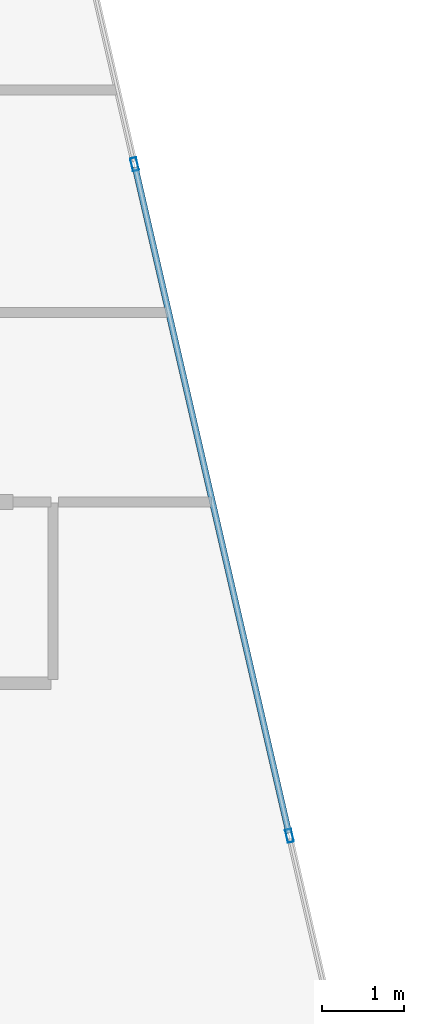
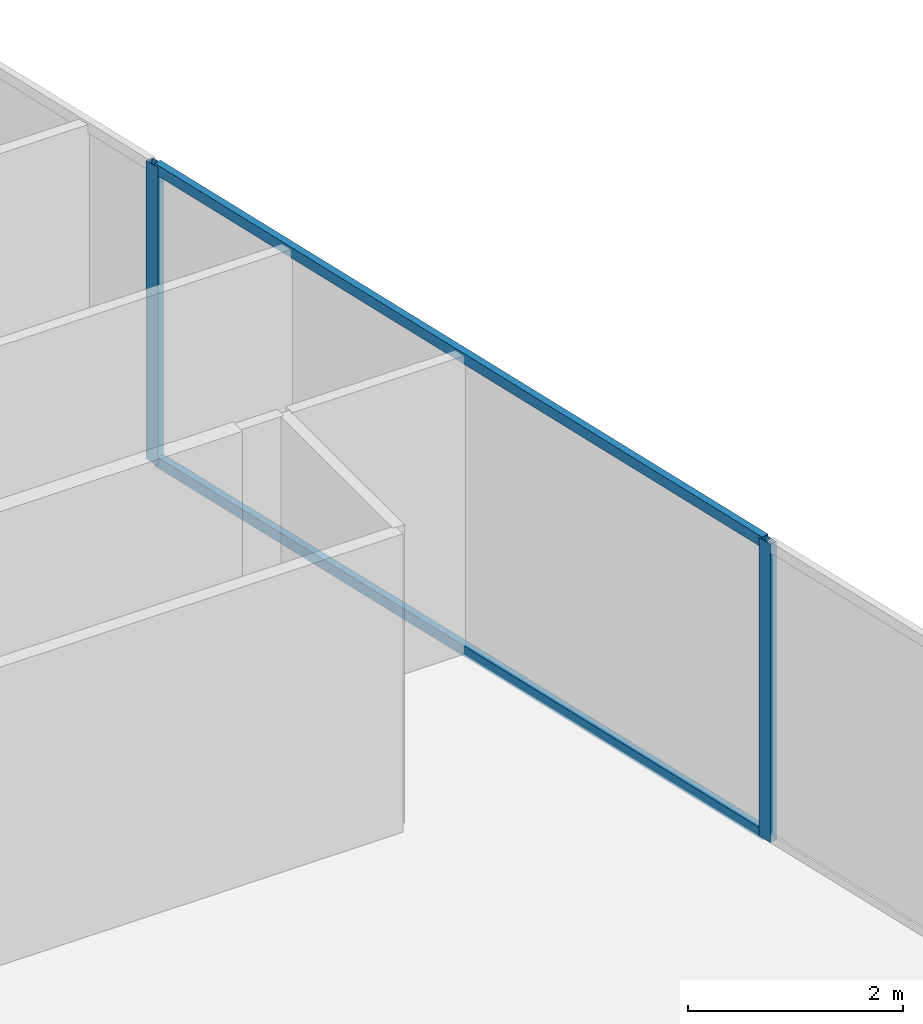
# One storey, part 20 of 29: 4 members, 1 element without a shape of its own.
"""IFC4 building model written with IfcOpenShell, lengths in metres."""

from ifc_helpers import new_model, si_unit, direction, frame, origin, origin_2d, place, context, subcontext, project, spatial, hollow_rectangle, extrude, material, layer, layer_set, material_profile, profile_set, type_object, element, aggregate, save


model = new_model("IFC4")

# Units and contexts
model_context = context("Model", 3, precision=1e-05, world=origin(), true_north=direction((0.0, 1.0)))
body_context = subcontext(model_context, "Body", "Model", "MODEL_VIEW")
ifc_project = project(units=[si_unit("LENGTHUNIT", "METRE"), si_unit("AREAUNIT", "SQUARE_METRE"), si_unit("VOLUMEUNIT", "CUBIC_METRE"), si_unit("PLANEANGLEUNIT", "RADIAN"), si_unit("MASSUNIT", "GRAM", prefix="KILO")], contexts=[model_context])

# Site, building, storey
site_placement = place(None, origin())
site = spatial("IfcSite", under=ifc_project, at=site_placement, CompositionType="ELEMENT")
building_placement = place(site_placement, origin())
building = spatial("IfcBuilding", under=site, at=building_placement, Name="Keshet Zoharim Tower", CompositionType="ELEMENT")
storey_placement = place(building_placement, frame((0.0, 0.0, 169.10009765625)))
storey = spatial("IfcBuildingStorey", under=building, at=storey_placement, Name="L41", CompositionType="ELEMENT", Elevation=169.10009765625)

# Curtain wall, members
ifc_material = material(Name="Aluminium 6063-T6", Category="aluminium")
ifc_layer = layer(ifc_material, 0.139892578125)
ifc_layer_set = layer_set([ifc_layer], Name="Aluminium 6063-T6")
curtain_wall_type = type_object("IfcCurtainWallType", Name="CW-SYS-05", PredefinedType="NOTDEFINED", material=ifc_layer_set)
curtain_wall_placement = place(storey_placement, origin())
curtain_wall = element("IfcCurtainWall", 1, at=curtain_wall_placement, inside=storey, type_object=curtain_wall_type, Name="L41 Unitised Curtain Wall 19", PredefinedType="NOTDEFINED")
ifc_material_profile_1 = material_profile(ifc_material, hollow_rectangle(XDim=0.074951171875, YDim=0.159912109375, WallThickness=0.00390625, at=origin_2d()), Name="MUL-75x160")
ifc_profile_set_1 = profile_set([ifc_material_profile_1], Name="Aluminium 6063-T6")
member_type_1 = type_object("IfcMemberType", Name="CWM-M15", PredefinedType="MULLION", material=ifc_profile_set_1)
member_1_placement = place(storey_placement, frame((41.23876953125, 44.199951171875, 0.0), z_axis=(0.0, 0.0, 1.0), x_axis=(0.974393882313, 0.224847864369, 0.0)))
member_1 = element("IfcMember", 2, at=member_1_placement, type_object=member_type_1, Name="CW-05 mullion 2", PredefinedType="MULLION", context=body_context, shape_type="SweptSolid", body=[
    extrude(hollow_rectangle(XDim=0.074951171875, YDim=0.159912109375, WallThickness=0.00390625, at=origin_2d()), origin(), (0.0, 0.0, 1.0), 3.389892578125),
])
member_2_placement = place(storey_placement, frame((43.119384765625, 36.050048828125, 0.0), z_axis=(0.0, 0.0, 1.0), x_axis=(0.974393882313, 0.224847864369, 0.0)))
member_2 = element("IfcMember", 3, at=member_2_placement, type_object=member_type_1, Name="CW-05 mullion 3", PredefinedType="MULLION", context=body_context, shape_type="SweptSolid", body=[
    extrude(hollow_rectangle(XDim=0.074951171875, YDim=0.159912109375, WallThickness=0.00390625, at=origin_2d()), origin(), (0.0, 0.0, 1.0), 3.389892578125),
])
ifc_material_profile_2 = material_profile(ifc_material, hollow_rectangle(XDim=0.074951171875, YDim=0.1201171875, WallThickness=0.00390625, at=origin_2d()), Name="TRN-75x120")
ifc_profile_set_2 = profile_set([ifc_material_profile_2], Name="Aluminium 6063-T6")
member_type_2 = type_object("IfcMemberType", Name="CWT-T12", PredefinedType="USERDEFINED", material=ifc_profile_set_2)
member_3_placement = place(storey_placement, frame((41.24658203125, 44.166015625, 0.034912109375), z_axis=(0.224848758198, -0.974393676055, 0.0), x_axis=(0.974393676055, 0.224848758198, 0.0)))
member_3 = element("IfcMember", 4, at=member_3_placement, type_object=member_type_2, Name="CW-05 transom 2.1", ObjectType="TRANSOM", PredefinedType="USERDEFINED", context=body_context, shape_type="SweptSolid", body=[
    extrude(hollow_rectangle(XDim=0.074951171875, YDim=0.1201171875, WallThickness=0.00390625, at=origin_2d()), origin(), (0.0, 0.0, 1.0), 8.29443359375),
])
member_4_placement = place(storey_placement, frame((41.24658203125, 44.166015625, 3.35498046875), z_axis=(0.224848758198, -0.974393676055, 0.0), x_axis=(0.974393676055, 0.224848758198, 0.0)))
member_4 = element("IfcMember", 5, at=member_4_placement, type_object=member_type_2, Name="CW-05 transom 2.2", ObjectType="TRANSOM", PredefinedType="USERDEFINED", context=body_context, shape_type="SweptSolid", body=[
    extrude(hollow_rectangle(XDim=0.074951171875, YDim=0.1201171875, WallThickness=0.00390625, at=origin_2d()), origin(), (0.0, 0.0, 1.0), 8.29443359375),
])
aggregate(curtain_wall, [member_1, member_2, member_3, member_4])

save(model, "model.ifc")
